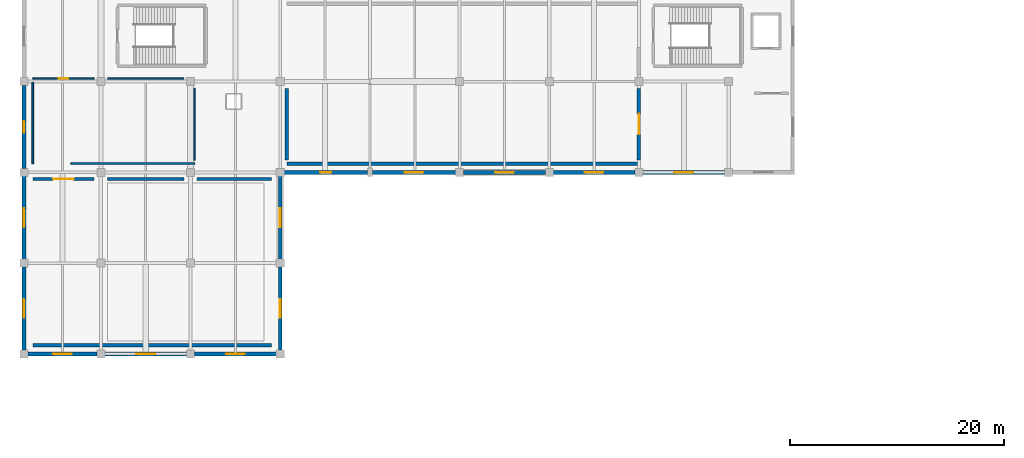
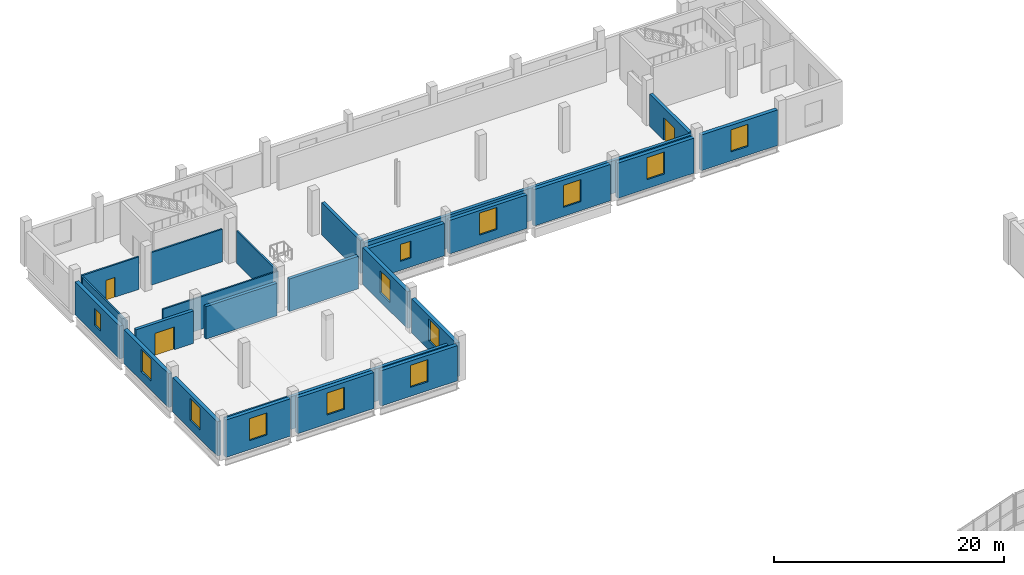
# One storey, part 60 of 77: 25 walls, 13 windows, 3 doors, 16 openings.
"""IFC4 building model written with IfcOpenShell, lengths in metres."""

from ifc_helpers import new_model, si_unit, direction, frame, frame_2d, origin, place, context, subcontext, project, spatial, rectangle, extrude, material, layer, layer_set, type_object, element, fill, save


model = new_model("IFC4")

# Units and contexts
model_context = context("Model", 3, precision=1e-05, world=origin(), true_north=direction((0.0, 1.0)))
body_context = subcontext(model_context, "Body", "Model", "MODEL_VIEW")
ifc_project = project(units=[si_unit("LENGTHUNIT", "METRE"), si_unit("AREAUNIT", "SQUARE_METRE"), si_unit("VOLUMEUNIT", "CUBIC_METRE"), si_unit("PLANEANGLEUNIT", "RADIAN"), si_unit("MASSUNIT", "GRAM", prefix="KILO")], contexts=[model_context])

# Site, building, storey
site_placement = place(None, origin())
site = spatial("IfcSite", under=ifc_project, at=site_placement, CompositionType="ELEMENT")
building_placement = place(site_placement, origin())
building = spatial("IfcBuilding", under=site, at=building_placement, Name="Solvento Point Concert Hall", CompositionType="ELEMENT")
storey_placement = place(building_placement, frame((0.0, 0.0, 10.199951171875)))
storey = spatial("IfcBuildingStorey", under=building, at=storey_placement, Name="L02", CompositionType="ELEMENT", Elevation=10.199951171875)

# Wall, opening, door
ifc_material_1 = material(Name="Acoustic Double-Stud Gypsum Partition")
ifc_layer_1 = layer(ifc_material_1, 0.159912109375)
ifc_layer_set_1 = layer_set([ifc_layer_1], Name="Acoustic Double-Stud Gypsum Partition")
wall_type_1 = type_object("IfcWallType", Name="AcousticPartition_160", PredefinedType="PARTITIONING", material=ifc_layer_set_1)
wall_1_placement = place(storey_placement, frame((0.820068359375, 127.780029296875, 0.0), z_axis=(0.0, 0.0, 1.0), x_axis=(1.0, 0.0, 0.0)))
wall_1 = element("IfcWall", 1, at=wall_1_placement, inside=storey, type_object=wall_type_1, Name="Interior acoustic partition PW-97 L02", PredefinedType="PARTITIONING", context=body_context, shape_type="SweptSolid", body=[
    extrude(rectangle(XDim=5.7548828125, YDim=0.159912109375, at=frame_2d((2.87744140625, 0.0))), origin(), (0.0, 0.0, 1.0), 3.4599609375),
])
opening_1_placement = place(wall_1_placement, frame((2.41748046875, 0.0, 0.0)))
opening_1 = element("IfcOpeningElement", 2, at=opening_1_placement, cuts=wall_1, Name="Opening DR-46", PredefinedType="OPENING", context=body_context, shape_type="SweptSolid", body=[
    extrude(rectangle(XDim=0.919921875, YDim=2.1201171875, at=frame_2d((0.4599609375, 1.06005859375))), frame((0.0, 0.08984375, 0.0), z_axis=(0.0, -1.0, 0.0), x_axis=(1.0, 0.0, 0.0)), (0.0, 0.0, 1.0), 0.179931640625),
])
ifc_material_2 = material(Name="Brazilian Hardwood Acoustic Door", Category="wood")
door_type_1 = type_object("IfcDoorType", Name="IntDoor_AccessibleWC", OperationType="NOTDEFINED", PredefinedType="DOOR", material=ifc_material_2)
door_1_placement = place(opening_1_placement, origin())
door_1 = element("IfcDoor", 3, at=door_1_placement, inside=storey, type_object=door_type_1, Name="Interior door DR-46 L02", OperationType="SINGLE_SWING_RIGHT", OverallHeight=2.1201171875, OverallWidth=0.919921875, PredefinedType="DOOR", context=body_context, shape_type="SweptSolid", body=[
    extrude(rectangle(XDim=0.919921875, YDim=2.1201171875, at=frame_2d((0.4599609375, 1.06005859375))), frame((0.0, 0.02490234375, 0.0), z_axis=(0.0, -1.0, 0.0), x_axis=(1.0, 0.0, 0.0)), (0.0, 0.0, 1.0), 0.050048828125),
])
fill(opening_1, door_1)

# Walls
wall_2_placement = place(storey_placement, frame((7.824951171875, 127.780029296875, 0.0), z_axis=(0.0, 0.0, 1.0), x_axis=(1.0, 0.0, 0.0)))
element("IfcWall", 4, at=wall_2_placement, inside=storey, type_object=wall_type_1, Name="Interior acoustic partition PW-97 L02", PredefinedType="PARTITIONING", context=body_context, shape_type="SweptSolid", body=[
    extrude(rectangle(XDim=7.150146484375, YDim=0.159912109375, at=frame_2d((3.5751953125, 0.0))), origin(), (0.0, 0.0, 1.0), 3.4599609375),
])
wall_3_placement = place(storey_placement, frame((15.97998046875, 119.820068359375, 0.0), z_axis=(0.0, 0.0, 1.0), x_axis=(-1.0, 0.0, 0.0)))
element("IfcWall", 5, at=wall_3_placement, inside=storey, type_object=wall_type_1, Name="Interior acoustic partition PW-97 L02", PredefinedType="PARTITIONING", context=body_context, shape_type="SweptSolid", body=[
    extrude(rectangle(XDim=11.58935546875, YDim=0.159912109375, at=frame_2d((5.794677734375, 0.0))), origin(), (0.0, 0.0, 1.0), 3.4599609375),
])
wall_4_placement = place(storey_placement, frame((15.97998046875, 126.875, 0.0), z_axis=(0.0, 0.0, 1.0), x_axis=(0.0, -1.0, 0.0)))
element("IfcWall", 6, at=wall_4_placement, inside=storey, type_object=wall_type_1, Name="Interior acoustic partition PW-97 L02", PredefinedType="PARTITIONING", context=body_context, shape_type="SweptSolid", body=[
    extrude(rectangle(XDim=6.735107421875, YDim=0.159912109375, at=frame_2d((3.36767578125, 0.0))), origin(), (0.0, 0.0, 1.0), 3.4599609375),
])
wall_5_placement = place(storey_placement, frame((0.820068359375, 119.820068359375, 0.0), z_axis=(0.0, 0.0, 1.0), x_axis=(0.0, 1.0, 0.0)))
element("IfcWall", 7, at=wall_5_placement, inside=storey, type_object=wall_type_1, Name="Interior acoustic partition PW-97 L02", PredefinedType="PARTITIONING", context=body_context, shape_type="SweptSolid", body=[
    extrude(rectangle(XDim=7.639892578125, YDim=0.159912109375, at=frame_2d((3.81982421875, 0.0))), origin(), (0.0, 0.0, 1.0), 3.4599609375),
])

# Wall, opening, door
ifc_material_3 = material(Name="Acoustic Double-Stud Gypsum Partition")
ifc_layer_2 = layer(ifc_material_3, 0.31494140625)
ifc_layer_set_2 = layer_set([ifc_layer_2], Name="Acoustic Double-Stud Gypsum Partition")
wall_type_2 = type_object("IfcWallType", Name="AcousticPartition_315", PredefinedType="PARTITIONING", material=ifc_layer_set_2)
wall_6_placement = place(storey_placement, frame((0.820068359375, 118.3798828125, 0.0), z_axis=(0.0, 0.0, 1.0), x_axis=(1.0, 0.0, 0.0)))
wall_6 = element("IfcWall", 8, at=wall_6_placement, inside=storey, type_object=wall_type_2, Name="Interior acoustic partition PW-18 L02", PredefinedType="PARTITIONING", context=body_context, shape_type="SweptSolid", body=[
    extrude(rectangle(XDim=5.7548828125, YDim=0.31494140625, at=frame_2d((2.87744140625, 0.0))), origin(), (0.0, 0.0, 1.0), 3.4599609375),
])
opening_2_placement = place(wall_6_placement, frame((1.91748046875, 0.0, 0.0)))
opening_2 = element("IfcOpeningElement", 9, at=opening_2_placement, cuts=wall_6, Name="Opening DR-15", PredefinedType="OPENING", context=body_context, shape_type="SweptSolid", body=[
    extrude(rectangle(XDim=1.919921875, YDim=2.419921875, at=frame_2d((0.9599609375, 1.2099609375))), frame((0.0, 0.16748046875, 0.0), z_axis=(0.0, -1.0, 0.0), x_axis=(1.0, 0.0, 0.0)), (0.0, 0.0, 1.0), 0.3349609375),
])
ifc_material_4 = material(Name="Brazilian Hardwood Acoustic Door", Category="wood")
door_type_2 = type_object("IfcDoorType", Name="IntDoor_RehearsalSTC58", OperationType="NOTDEFINED", PredefinedType="DOOR", material=ifc_material_4)
door_2_placement = place(opening_2_placement, origin())
door_2 = element("IfcDoor", 10, at=door_2_placement, inside=storey, type_object=door_type_2, Name="Interior door DR-15 L02", OperationType="SINGLE_SWING_RIGHT", OverallHeight=2.419921875, OverallWidth=1.919921875, PredefinedType="DOOR", context=body_context, shape_type="SweptSolid", body=[
    extrude(rectangle(XDim=1.919921875, YDim=2.419921875, at=frame_2d((0.9599609375, 1.2099609375))), frame((0.0, 0.02490234375, 0.0), z_axis=(0.0, -1.0, 0.0), x_axis=(1.0, 0.0, 0.0)), (0.0, 0.0, 1.0), 0.050048828125),
])
fill(opening_2, door_2)

# Walls
wall_7_placement = place(storey_placement, frame((7.824951171875, 118.3798828125, 0.0), z_axis=(0.0, 0.0, 1.0), x_axis=(1.0, 0.0, 0.0)))
element("IfcWall", 11, at=wall_7_placement, inside=storey, type_object=wall_type_2, Name="Interior acoustic partition PW-18 L02", PredefinedType="PARTITIONING", context=body_context, shape_type="SweptSolid", body=[
    extrude(rectangle(XDim=7.150146484375, YDim=0.31494140625, at=frame_2d((3.5751953125, 0.0))), origin(), (0.0, 0.0, 1.0), 3.4599609375),
])
wall_8_placement = place(storey_placement, frame((16.22509765625, 118.3798828125, 0.0), z_axis=(0.0, 0.0, 1.0), x_axis=(1.0, 0.0, 0.0)))
element("IfcWall", 12, at=wall_8_placement, inside=storey, type_object=wall_type_2, Name="Interior acoustic partition PW-18 L02", PredefinedType="PARTITIONING", context=body_context, shape_type="SweptSolid", body=[
    extrude(rectangle(XDim=6.954833984375, YDim=0.31494140625, at=frame_2d((3.4775390625, 0.0))), origin(), (0.0, 0.0, 1.0), 3.4599609375),
])
wall_9_placement = place(storey_placement, frame((23.179931640625, 102.820068359375, 0.0), z_axis=(0.0, 0.0, 1.0), x_axis=(-1.0, 0.0, 0.0)))
element("IfcWall", 13, at=wall_9_placement, inside=storey, type_object=wall_type_2, Name="Interior acoustic partition PW-18 L02", PredefinedType="PARTITIONING", context=body_context, shape_type="SweptSolid", body=[
    extrude(rectangle(XDim=22.35986328125, YDim=0.31494140625, at=frame_2d((11.179931640625, 0.0))), origin(), (0.0, 0.0, 1.0), 3.4599609375),
])
wall_10_placement = place(storey_placement, frame((57.580078125, 119.820068359375, 0.0), z_axis=(0.0, 0.0, 1.0), x_axis=(-1.0, 0.0, 0.0)))
element("IfcWall", 14, at=wall_10_placement, inside=storey, type_object=wall_type_2, Name="Interior acoustic partition PW-18 L02", PredefinedType="PARTITIONING", context=body_context, shape_type="SweptSolid", body=[
    extrude(rectangle(XDim=32.9599609375, YDim=0.31494140625, at=frame_2d((16.47998046875, 0.0))), origin(), (0.0, 0.0, 1.0), 3.4599609375),
])

# Wall, opening, door
wall_11_placement = place(storey_placement, frame((57.580078125, 126.875, 0.0), z_axis=(0.0, 0.0, 1.0), x_axis=(0.0, -1.0, 0.0)))
wall_11 = element("IfcWall", 15, at=wall_11_placement, inside=storey, type_object=wall_type_2, Name="Interior acoustic partition PW-18 L02", PredefinedType="PARTITIONING", context=body_context, shape_type="SweptSolid", body=[
    extrude(rectangle(XDim=6.735107421875, YDim=0.31494140625, at=frame_2d((3.36767578125, 0.0))), origin(), (0.0, 0.0, 1.0), 3.4599609375),
])
opening_3_placement = place(wall_11_placement, frame((2.407470703125, 0.0, 0.0)))
opening_3 = element("IfcOpeningElement", 16, at=opening_3_placement, cuts=wall_11, Name="Opening DR-15", PredefinedType="OPENING", context=body_context, shape_type="SweptSolid", body=[
    extrude(rectangle(XDim=1.919921875, YDim=2.419921875, at=frame_2d((0.9599609375, 1.2099609375))), frame((0.0, 0.16748046875, 0.0), z_axis=(0.0, -1.0, 0.0), x_axis=(1.0, 0.0, 0.0)), (0.0, 0.0, 1.0), 0.3349609375),
])
door_3_placement = place(opening_3_placement, origin())
door_3 = element("IfcDoor", 17, at=door_3_placement, inside=storey, type_object=door_type_2, Name="Interior door DR-15 L02", OperationType="SINGLE_SWING_LEFT", OverallHeight=2.419921875, OverallWidth=1.919921875, PredefinedType="DOOR", context=body_context, shape_type="SweptSolid", body=[
    extrude(rectangle(XDim=1.919921875, YDim=2.419921875, at=frame_2d((0.9599609375, 1.2099609375))), frame((0.0, 0.02490234375, 0.0), z_axis=(0.0, -1.0, 0.0), x_axis=(1.0, 0.0, 0.0)), (0.0, 0.0, 1.0), 0.050048828125),
])
fill(opening_3, door_3)

# Wall
wall_12_placement = place(storey_placement, frame((24.6201171875, 120.139892578125, 0.0), z_axis=(0.0, 0.0, 1.0), x_axis=(0.0, 1.0, 0.0)))
element("IfcWall", 18, at=wall_12_placement, inside=storey, type_object=wall_type_2, Name="Interior acoustic partition PW-18 L02", PredefinedType="PARTITIONING", context=body_context, shape_type="SweptSolid", body=[
    extrude(rectangle(XDim=6.735107421875, YDim=0.31494140625, at=frame_2d((3.36767578125, 0.0))), origin(), (0.0, 0.0, 1.0), 3.4599609375),
])

# Wall, opening, window
ifc_material_5 = material(Name="Concrete C40/50", Category="concrete")
ifc_layer_3 = layer(ifc_material_5, 0.3701171875)
ifc_layer_set_3 = layer_set([ifc_layer_3], Name="Concrete C40/50")
wall_type_3 = type_object("IfcWallType", Name="ExtWall_V4_Reh_370", PredefinedType="SOLIDWALL", material=ifc_layer_set_3)
wall_13_placement = place(storey_placement, frame((0.0, 102.35498046875, 0.0), z_axis=(0.0, 0.0, 1.0), x_axis=(0.0, 1.0, 0.0)))
wall_13 = element("IfcWall", 19, at=wall_13_placement, inside=storey, type_object=wall_type_3, Name="Exterior architectural concrete wall EW-85 L02", PredefinedType="SOLIDWALL", context=body_context, shape_type="SweptSolid", body=[
    extrude(rectangle(XDim=7.7900390625, YDim=0.3701171875, at=frame_2d((3.89501953125, 0.0))), origin(), (0.0, 0.0, 1.0), 3.6611328125),
])
opening_4_placement = place(wall_13_placement, frame((3.02001953125, 0.0, 0.949951171875)))
opening_4 = element("IfcOpeningElement", 20, at=opening_4_placement, cuts=wall_13, Name="Opening WN-70", PredefinedType="OPENING", context=body_context, shape_type="SweptSolid", body=[
    extrude(rectangle(XDim=1.75, YDim=2.35009765625, at=frame_2d((0.875, 1.175048828125))), frame((0.0, 0.195068359375, 0.0), z_axis=(0.0, -1.0, 0.0), x_axis=(1.0, 0.0, 0.0)), (0.0, 0.0, 1.0), 0.39013671875),
])
ifc_material_6 = material(Name="Hurricane Laminated Low-E Glass", Category="glass")
window_type_1 = type_object("IfcWindowType", Name="Win_V4_Rehearsal_L02", PartitioningType="SINGLE_PANEL", PredefinedType="WINDOW", material=ifc_material_6)
window_1_placement = place(opening_4_placement, origin())
window_1 = element("IfcWindow", 21, at=window_1_placement, inside=storey, type_object=window_type_1, Name="Impact acoustic window WN-70", OverallHeight=2.35009765625, OverallWidth=1.75, PartitioningType="SINGLE_PANEL", PredefinedType="WINDOW", context=body_context, shape_type="SweptSolid", body=[
    extrude(rectangle(XDim=1.75, YDim=2.35009765625, at=frame_2d((0.875, 1.175048828125))), frame((0.0, 0.030029296875, 0.0), z_axis=(0.0, -1.0, 0.0), x_axis=(1.0, 0.0, 0.0)), (0.0, 0.0, 1.0), 0.06005859375),
])
fill(opening_4, window_1)

wall_14_placement = place(storey_placement, frame((0.0, 110.85498046875, 0.0), z_axis=(0.0, 0.0, 1.0), x_axis=(0.0, 1.0, 0.0)))
wall_14 = element("IfcWall", 22, at=wall_14_placement, inside=storey, type_object=wall_type_3, Name="Exterior architectural concrete wall EW-85 L02", PredefinedType="SOLIDWALL", context=body_context, shape_type="SweptSolid", body=[
    extrude(rectangle(XDim=7.7900390625, YDim=0.3701171875, at=frame_2d((3.89501953125, 0.0))), origin(), (0.0, 0.0, 1.0), 3.593017578125),
])
opening_5_placement = place(wall_14_placement, frame((3.02001953125, 0.0, 0.949951171875)))
opening_5 = element("IfcOpeningElement", 23, at=opening_5_placement, cuts=wall_14, Name="Opening WN-70", PredefinedType="OPENING", context=body_context, shape_type="SweptSolid", body=[
    extrude(rectangle(XDim=1.75, YDim=2.35009765625, at=frame_2d((0.875, 1.175048828125))), frame((0.0, 0.195068359375, 0.0), z_axis=(0.0, -1.0, 0.0), x_axis=(1.0, 0.0, 0.0)), (0.0, 0.0, 1.0), 0.39013671875),
])
window_2_placement = place(opening_5_placement, origin())
window_2 = element("IfcWindow", 24, at=window_2_placement, inside=storey, type_object=window_type_1, Name="Impact acoustic window WN-70", OverallHeight=2.35009765625, OverallWidth=1.75, PartitioningType="SINGLE_PANEL", PredefinedType="WINDOW", context=body_context, shape_type="SweptSolid", body=[
    extrude(rectangle(XDim=1.75, YDim=2.35009765625, at=frame_2d((0.875, 1.175048828125))), frame((0.0, 0.030029296875, 0.0), z_axis=(0.0, -1.0, 0.0), x_axis=(1.0, 0.0, 0.0)), (0.0, 0.0, 1.0), 0.06005859375),
])
fill(opening_5, window_2)

wall_15_placement = place(storey_placement, frame((0.0, 119.35498046875, 0.0), z_axis=(0.0, 0.0, 1.0), x_axis=(0.0, 1.0, 0.0)))
wall_15 = element("IfcWall", 25, at=wall_15_placement, inside=storey, type_object=wall_type_3, Name="Exterior architectural concrete wall EW-85 L02", PredefinedType="SOLIDWALL", context=body_context, shape_type="SweptSolid", body=[
    extrude(rectangle(XDim=7.7900390625, YDim=0.3701171875, at=frame_2d((3.89501953125, 0.0))), origin(), (0.0, 0.0, 1.0), 3.51806640625),
])
opening_6_placement = place(wall_15_placement, frame((3.3701171875, 0.0, 0.949951171875)))
opening_6 = element("IfcOpeningElement", 26, at=opening_6_placement, cuts=wall_15, Name="Opening WN-89", PredefinedType="OPENING", context=body_context, shape_type="SweptSolid", body=[
    extrude(rectangle(XDim=1.050048828125, YDim=1.800048828125, at=frame_2d((0.52490234375, 0.89990234375))), frame((0.0, 0.195068359375, 0.0), z_axis=(0.0, -1.0, 0.0), x_axis=(1.0, 0.0, 0.0)), (0.0, 0.0, 1.0), 0.39013671875),
])
ifc_material_7 = material(Name="Hurricane Laminated Low-E Glass", Category="glass")
window_type_2 = type_object("IfcWindowType", Name="Win_NarrowPier_1050", PartitioningType="SINGLE_PANEL", PredefinedType="WINDOW", material=ifc_material_7)
window_3_placement = place(opening_6_placement, origin())
window_3 = element("IfcWindow", 27, at=window_3_placement, inside=storey, type_object=window_type_2, Name="Impact acoustic window WN-89", OverallHeight=1.800048828125, OverallWidth=1.050048828125, PartitioningType="SINGLE_PANEL", PredefinedType="WINDOW", context=body_context, shape_type="SweptSolid", body=[
    extrude(rectangle(XDim=1.050048828125, YDim=1.800048828125, at=frame_2d((0.52490234375, 0.89990234375))), frame((0.0, 0.030029296875, 0.0), z_axis=(0.0, -1.0, 0.0), x_axis=(1.0, 0.0, 0.0)), (0.0, 0.0, 1.0), 0.06005859375),
])
fill(opening_6, window_3)

wall_16_placement = place(storey_placement, frame((32.169921875, 119.0, 0.0), z_axis=(0.0, 0.0, 1.0), x_axis=(-1.0, 0.0, 0.0)))
wall_16 = element("IfcWall", 28, at=wall_16_placement, inside=storey, type_object=wall_type_3, Name="Exterior architectural concrete wall EW-85 L02", PredefinedType="SOLIDWALL", context=body_context, shape_type="SweptSolid", body=[
    extrude(rectangle(XDim=7.81494140625, YDim=0.3701171875, at=frame_2d((3.907470703125, 0.0))), origin(), (0.0, 0.0, 1.0), 3.447998046875),
])
opening_7_placement = place(wall_16_placement, frame((3.382568359375, 0.0, 0.949951171875)))
opening_7 = element("IfcOpeningElement", 29, at=opening_7_placement, cuts=wall_16, Name="Opening WN-89", PredefinedType="OPENING", context=body_context, shape_type="SweptSolid", body=[
    extrude(rectangle(XDim=1.050048828125, YDim=1.800048828125, at=frame_2d((0.52490234375, 0.89990234375))), frame((0.0, 0.195068359375, 0.0), z_axis=(0.0, -1.0, 0.0), x_axis=(1.0, 0.0, 0.0)), (0.0, 0.0, 1.0), 0.39013671875),
])
window_4_placement = place(opening_7_placement, origin())
window_4 = element("IfcWindow", 30, at=window_4_placement, inside=storey, type_object=window_type_2, Name="Impact acoustic window WN-89", OverallHeight=1.800048828125, OverallWidth=1.050048828125, PartitioningType="SINGLE_PANEL", PredefinedType="WINDOW", context=body_context, shape_type="SweptSolid", body=[
    extrude(rectangle(XDim=1.050048828125, YDim=1.800048828125, at=frame_2d((0.52490234375, 0.89990234375))), frame((0.0, 0.030029296875, 0.0), z_axis=(0.0, -1.0, 0.0), x_axis=(1.0, 0.0, 0.0)), (0.0, 0.0, 1.0), 0.06005859375),
])
fill(opening_7, window_4)

wall_17_placement = place(storey_placement, frame((40.445068359375, 119.0, 0.0), z_axis=(0.0, 0.0, 1.0), x_axis=(-1.0, 0.0, 0.0)))
wall_17 = element("IfcWall", 31, at=wall_17_placement, inside=storey, type_object=wall_type_3, Name="Exterior architectural concrete wall EW-85 L02", PredefinedType="SOLIDWALL", context=body_context, shape_type="SweptSolid", body=[
    extrude(rectangle(XDim=7.815185546875, YDim=0.3701171875, at=frame_2d((3.90771484375, 0.0))), origin(), (0.0, 0.0, 1.0), 3.573974609375),
])
opening_8_placement = place(wall_17_placement, frame((3.032470703125, 0.0, 0.949951171875)))
opening_8 = element("IfcOpeningElement", 32, at=opening_8_placement, cuts=wall_17, Name="Opening WN-70", PredefinedType="OPENING", context=body_context, shape_type="SweptSolid", body=[
    extrude(rectangle(XDim=1.75, YDim=2.35009765625, at=frame_2d((0.875, 1.175048828125))), frame((0.0, 0.195068359375, 0.0), z_axis=(0.0, -1.0, 0.0), x_axis=(1.0, 0.0, 0.0)), (0.0, 0.0, 1.0), 0.39013671875),
])
window_5_placement = place(opening_8_placement, origin())
window_5 = element("IfcWindow", 33, at=window_5_placement, inside=storey, type_object=window_type_1, Name="Impact acoustic window WN-70", OverallHeight=2.35009765625, OverallWidth=1.75, PartitioningType="SINGLE_PANEL", PredefinedType="WINDOW", context=body_context, shape_type="SweptSolid", body=[
    extrude(rectangle(XDim=1.75, YDim=2.35009765625, at=frame_2d((0.875, 1.175048828125))), frame((0.0, 0.030029296875, 0.0), z_axis=(0.0, -1.0, 0.0), x_axis=(1.0, 0.0, 0.0)), (0.0, 0.0, 1.0), 0.06005859375),
])
fill(opening_8, window_5)

wall_18_placement = place(storey_placement, frame((48.844970703125, 119.0, 0.0), z_axis=(0.0, 0.0, 1.0), x_axis=(-1.0, 0.0, 0.0)))
wall_18 = element("IfcWall", 34, at=wall_18_placement, inside=storey, type_object=wall_type_3, Name="Exterior architectural concrete wall EW-85 L02", PredefinedType="SOLIDWALL", context=body_context, shape_type="SweptSolid", body=[
    extrude(rectangle(XDim=7.68994140625, YDim=0.3701171875, at=frame_2d((3.844970703125, 0.0))), origin(), (0.0, 0.0, 1.0), 3.865966796875),
])
opening_9_placement = place(wall_18_placement, frame((2.969970703125, 0.0, 0.949951171875)))
opening_9 = element("IfcOpeningElement", 35, at=opening_9_placement, cuts=wall_18, Name="Opening WN-70", PredefinedType="OPENING", context=body_context, shape_type="SweptSolid", body=[
    extrude(rectangle(XDim=1.75, YDim=2.35009765625, at=frame_2d((0.875, 1.175048828125))), frame((0.0, 0.195068359375, 0.0), z_axis=(0.0, -1.0, 0.0), x_axis=(1.0, 0.0, 0.0)), (0.0, 0.0, 1.0), 0.39013671875),
])
window_6_placement = place(opening_9_placement, origin())
window_6 = element("IfcWindow", 36, at=window_6_placement, inside=storey, type_object=window_type_1, Name="Impact acoustic window WN-70", OverallHeight=2.35009765625, OverallWidth=1.75, PartitioningType="SINGLE_PANEL", PredefinedType="WINDOW", context=body_context, shape_type="SweptSolid", body=[
    extrude(rectangle(XDim=1.75, YDim=2.35009765625, at=frame_2d((0.875, 1.175048828125))), frame((0.0, 0.030029296875, 0.0), z_axis=(0.0, -1.0, 0.0), x_axis=(1.0, 0.0, 0.0)), (0.0, 0.0, 1.0), 0.06005859375),
])
fill(opening_9, window_6)

wall_19_placement = place(storey_placement, frame((57.2451171875, 119.0, 0.0), z_axis=(0.0, 0.0, 1.0), x_axis=(-1.0, 0.0, 0.0)))
wall_19 = element("IfcWall", 37, at=wall_19_placement, inside=storey, type_object=wall_type_3, Name="Exterior architectural concrete wall EW-85 L02", PredefinedType="SOLIDWALL", context=body_context, shape_type="SweptSolid", body=[
    extrude(rectangle(XDim=7.690185546875, YDim=0.3701171875, at=frame_2d((3.84521484375, 0.0))), origin(), (0.0, 0.0, 1.0), 3.72412109375),
])
opening_10_placement = place(wall_19_placement, frame((2.969970703125, 0.0, 0.949951171875)))
opening_10 = element("IfcOpeningElement", 38, at=opening_10_placement, cuts=wall_19, Name="Opening WN-70", PredefinedType="OPENING", context=body_context, shape_type="SweptSolid", body=[
    extrude(rectangle(XDim=1.75, YDim=2.35009765625, at=frame_2d((0.875, 1.175048828125))), frame((0.0, 0.195068359375, 0.0), z_axis=(0.0, -1.0, 0.0), x_axis=(1.0, 0.0, 0.0)), (0.0, 0.0, 1.0), 0.39013671875),
])
window_7_placement = place(opening_10_placement, origin())
window_7 = element("IfcWindow", 39, at=window_7_placement, inside=storey, type_object=window_type_1, Name="Impact acoustic window WN-70", OverallHeight=2.35009765625, OverallWidth=1.75, PartitioningType="SINGLE_PANEL", PredefinedType="WINDOW", context=body_context, shape_type="SweptSolid", body=[
    extrude(rectangle(XDim=1.75, YDim=2.35009765625, at=frame_2d((0.875, 1.175048828125))), frame((0.0, 0.030029296875, 0.0), z_axis=(0.0, -1.0, 0.0), x_axis=(1.0, 0.0, 0.0)), (0.0, 0.0, 1.0), 0.06005859375),
])
fill(opening_10, window_7)

wall_20_placement = place(storey_placement, frame((65.64501953125, 119.0, 0.0), z_axis=(0.0, 0.0, 1.0), x_axis=(-1.0, 0.0, 0.0)))
wall_20 = element("IfcWall", 40, at=wall_20_placement, inside=storey, type_object=wall_type_3, Name="Exterior architectural concrete wall EW-85 L02", PredefinedType="SOLIDWALL", context=body_context, shape_type="SweptSolid", body=[
    extrude(rectangle(XDim=7.68994140625, YDim=0.3701171875, at=frame_2d((3.844970703125, 0.0))), origin(), (0.0, 0.0, 1.0), 3.781005859375),
])
opening_11_placement = place(wall_20_placement, frame((2.969970703125, 0.0, 0.949951171875)))
opening_11 = element("IfcOpeningElement", 41, at=opening_11_placement, cuts=wall_20, Name="Opening WN-70", PredefinedType="OPENING", context=body_context, shape_type="SweptSolid", body=[
    extrude(rectangle(XDim=1.75, YDim=2.35009765625, at=frame_2d((0.875, 1.175048828125))), frame((0.0, 0.195068359375, 0.0), z_axis=(0.0, -1.0, 0.0), x_axis=(1.0, 0.0, 0.0)), (0.0, 0.0, 1.0), 0.39013671875),
])
window_8_placement = place(opening_11_placement, origin())
window_8 = element("IfcWindow", 42, at=window_8_placement, inside=storey, type_object=window_type_1, Name="Impact acoustic window WN-70", OverallHeight=2.35009765625, OverallWidth=1.75, PartitioningType="SINGLE_PANEL", PredefinedType="WINDOW", context=body_context, shape_type="SweptSolid", body=[
    extrude(rectangle(XDim=1.75, YDim=2.35009765625, at=frame_2d((0.875, 1.175048828125))), frame((0.0, 0.030029296875, 0.0), z_axis=(0.0, -1.0, 0.0), x_axis=(1.0, 0.0, 0.0)), (0.0, 0.0, 1.0), 0.06005859375),
])
fill(opening_11, window_8)

wall_21_placement = place(storey_placement, frame((24.0, 110.14501953125, 0.0), z_axis=(0.0, 0.0, 1.0), x_axis=(0.0, -1.0, 0.0)))
wall_21 = element("IfcWall", 43, at=wall_21_placement, inside=storey, type_object=wall_type_3, Name="Exterior architectural concrete wall EW-85 L02", PredefinedType="SOLIDWALL", context=body_context, shape_type="SweptSolid", body=[
    extrude(rectangle(XDim=7.7900390625, YDim=0.3701171875, at=frame_2d((3.89501953125, 0.0))), origin(), (0.0, 0.0, 1.0), 3.6201171875),
])
opening_12_placement = place(wall_21_placement, frame((3.02001953125, 0.0, 0.949951171875)))
opening_12 = element("IfcOpeningElement", 44, at=opening_12_placement, cuts=wall_21, Name="Opening WN-70", PredefinedType="OPENING", context=body_context, shape_type="SweptSolid", body=[
    extrude(rectangle(XDim=1.75, YDim=2.35009765625, at=frame_2d((0.875, 1.175048828125))), frame((0.0, 0.195068359375, 0.0), z_axis=(0.0, -1.0, 0.0), x_axis=(1.0, 0.0, 0.0)), (0.0, 0.0, 1.0), 0.39013671875),
])
window_9_placement = place(opening_12_placement, origin())
window_9 = element("IfcWindow", 45, at=window_9_placement, inside=storey, type_object=window_type_1, Name="Impact acoustic window WN-70", OverallHeight=2.35009765625, OverallWidth=1.75, PartitioningType="SINGLE_PANEL", PredefinedType="WINDOW", context=body_context, shape_type="SweptSolid", body=[
    extrude(rectangle(XDim=1.75, YDim=2.35009765625, at=frame_2d((0.875, 1.175048828125))), frame((0.0, 0.030029296875, 0.0), z_axis=(0.0, -1.0, 0.0), x_axis=(1.0, 0.0, 0.0)), (0.0, 0.0, 1.0), 0.06005859375),
])
fill(opening_12, window_9)

wall_22_placement = place(storey_placement, frame((24.0, 118.64501953125, 0.0), z_axis=(0.0, 0.0, 1.0), x_axis=(0.0, -1.0, 0.0)))
wall_22 = element("IfcWall", 46, at=wall_22_placement, inside=storey, type_object=wall_type_3, Name="Exterior architectural concrete wall EW-85 L02", PredefinedType="SOLIDWALL", context=body_context, shape_type="SweptSolid", body=[
    extrude(rectangle(XDim=7.7900390625, YDim=0.3701171875, at=frame_2d((3.89501953125, 0.0))), origin(), (0.0, 0.0, 1.0), 3.912109375),
])
opening_13_placement = place(wall_22_placement, frame((3.02001953125, 0.0, 0.949951171875)))
opening_13 = element("IfcOpeningElement", 47, at=opening_13_placement, cuts=wall_22, Name="Opening WN-70", PredefinedType="OPENING", context=body_context, shape_type="SweptSolid", body=[
    extrude(rectangle(XDim=1.75, YDim=2.35009765625, at=frame_2d((0.875, 1.175048828125))), frame((0.0, 0.195068359375, 0.0), z_axis=(0.0, -1.0, 0.0), x_axis=(1.0, 0.0, 0.0)), (0.0, 0.0, 1.0), 0.39013671875),
])
window_10_placement = place(opening_13_placement, origin())
window_10 = element("IfcWindow", 48, at=window_10_placement, inside=storey, type_object=window_type_1, Name="Impact acoustic window WN-70", OverallHeight=2.35009765625, OverallWidth=1.75, PartitioningType="SINGLE_PANEL", PredefinedType="WINDOW", context=body_context, shape_type="SweptSolid", body=[
    extrude(rectangle(XDim=1.75, YDim=2.35009765625, at=frame_2d((0.875, 1.175048828125))), frame((0.0, 0.030029296875, 0.0), z_axis=(0.0, -1.0, 0.0), x_axis=(1.0, 0.0, 0.0)), (0.0, 0.0, 1.0), 0.06005859375),
])
fill(opening_13, window_10)

wall_23_placement = place(storey_placement, frame((6.844970703125, 102.0, 0.0), z_axis=(0.0, 0.0, 1.0), x_axis=(-1.0, 0.0, 0.0)))
wall_23 = element("IfcWall", 49, at=wall_23_placement, inside=storey, type_object=wall_type_3, Name="Exterior architectural concrete wall EW-85 L02", PredefinedType="SOLIDWALL", context=body_context, shape_type="SweptSolid", body=[
    extrude(rectangle(XDim=6.489990234375, YDim=0.3701171875, at=frame_2d((3.2451171875, 0.0))), origin(), (0.0, 0.0, 1.0), 3.970947265625),
])
opening_14_placement = place(wall_23_placement, frame((2.3701171875, 0.0, 0.949951171875)))
opening_14 = element("IfcOpeningElement", 50, at=opening_14_placement, cuts=wall_23, Name="Opening WN-70", PredefinedType="OPENING", context=body_context, shape_type="SweptSolid", body=[
    extrude(rectangle(XDim=1.75, YDim=2.35009765625, at=frame_2d((0.875, 1.175048828125))), frame((0.0, 0.195068359375, 0.0), z_axis=(0.0, -1.0, 0.0), x_axis=(1.0, 0.0, 0.0)), (0.0, 0.0, 1.0), 0.39013671875),
])
window_11_placement = place(opening_14_placement, origin())
window_11 = element("IfcWindow", 51, at=window_11_placement, inside=storey, type_object=window_type_1, Name="Impact acoustic window WN-70", OverallHeight=2.35009765625, OverallWidth=1.75, PartitioningType="SINGLE_PANEL", PredefinedType="WINDOW", context=body_context, shape_type="SweptSolid", body=[
    extrude(rectangle(XDim=1.75, YDim=2.35009765625, at=frame_2d((0.875, 1.175048828125))), frame((0.0, 0.030029296875, 0.0), z_axis=(0.0, -1.0, 0.0), x_axis=(1.0, 0.0, 0.0)), (0.0, 0.0, 1.0), 0.06005859375),
])
fill(opening_14, window_11)

wall_24_placement = place(storey_placement, frame((15.2451171875, 102.0, 0.0), z_axis=(0.0, 0.0, 1.0), x_axis=(-1.0, 0.0, 0.0)))
wall_24 = element("IfcWall", 52, at=wall_24_placement, inside=storey, type_object=wall_type_3, Name="Exterior architectural concrete wall EW-85 L02", PredefinedType="SOLIDWALL", context=body_context, shape_type="SweptSolid", body=[
    extrude(rectangle(XDim=7.690185546875, YDim=0.3701171875, at=frame_2d((3.84521484375, 0.0))), origin(), (0.0, 0.0, 1.0), 3.8271484375),
])
opening_15_placement = place(wall_24_placement, frame((2.969970703125, 0.0, 0.949951171875)))
opening_15 = element("IfcOpeningElement", 53, at=opening_15_placement, cuts=wall_24, Name="Opening WN-70", PredefinedType="OPENING", context=body_context, shape_type="SweptSolid", body=[
    extrude(rectangle(XDim=1.75, YDim=2.35009765625, at=frame_2d((0.875, 1.175048828125))), frame((0.0, 0.195068359375, 0.0), z_axis=(0.0, -1.0, 0.0), x_axis=(1.0, 0.0, 0.0)), (0.0, 0.0, 1.0), 0.39013671875),
])
window_12_placement = place(opening_15_placement, origin())
window_12 = element("IfcWindow", 54, at=window_12_placement, inside=storey, type_object=window_type_1, Name="Impact acoustic window WN-70", OverallHeight=2.35009765625, OverallWidth=1.75, PartitioningType="SINGLE_PANEL", PredefinedType="WINDOW", context=body_context, shape_type="SweptSolid", body=[
    extrude(rectangle(XDim=1.75, YDim=2.35009765625, at=frame_2d((0.875, 1.175048828125))), frame((0.0, 0.030029296875, 0.0), z_axis=(0.0, -1.0, 0.0), x_axis=(1.0, 0.0, 0.0)), (0.0, 0.0, 1.0), 0.06005859375),
])
fill(opening_15, window_12)

wall_25_placement = place(storey_placement, frame((23.64501953125, 102.0, 0.0), z_axis=(0.0, 0.0, 1.0), x_axis=(-1.0, 0.0, 0.0)))
wall_25 = element("IfcWall", 55, at=wall_25_placement, inside=storey, type_object=wall_type_3, Name="Exterior architectural concrete wall EW-85 L02", PredefinedType="SOLIDWALL", context=body_context, shape_type="SweptSolid", body=[
    extrude(rectangle(XDim=7.68994140625, YDim=0.3701171875, at=frame_2d((3.844970703125, 0.0))), origin(), (0.0, 0.0, 1.0), 3.75),
])
opening_16_placement = place(wall_25_placement, frame((2.969970703125, 0.0, 0.949951171875)))
opening_16 = element("IfcOpeningElement", 56, at=opening_16_placement, cuts=wall_25, Name="Opening WN-70", PredefinedType="OPENING", context=body_context, shape_type="SweptSolid", body=[
    extrude(rectangle(XDim=1.75, YDim=2.35009765625, at=frame_2d((0.875, 1.175048828125))), frame((0.0, 0.195068359375, 0.0), z_axis=(0.0, -1.0, 0.0), x_axis=(1.0, 0.0, 0.0)), (0.0, 0.0, 1.0), 0.39013671875),
])
window_13_placement = place(opening_16_placement, origin())
window_13 = element("IfcWindow", 57, at=window_13_placement, inside=storey, type_object=window_type_1, Name="Impact acoustic window WN-70", OverallHeight=2.35009765625, OverallWidth=1.75, PartitioningType="SINGLE_PANEL", PredefinedType="WINDOW", context=body_context, shape_type="SweptSolid", body=[
    extrude(rectangle(XDim=1.75, YDim=2.35009765625, at=frame_2d((0.875, 1.175048828125))), frame((0.0, 0.030029296875, 0.0), z_axis=(0.0, -1.0, 0.0), x_axis=(1.0, 0.0, 0.0)), (0.0, 0.0, 1.0), 0.06005859375),
])
fill(opening_16, window_13)

save(model, "model.ifc")
